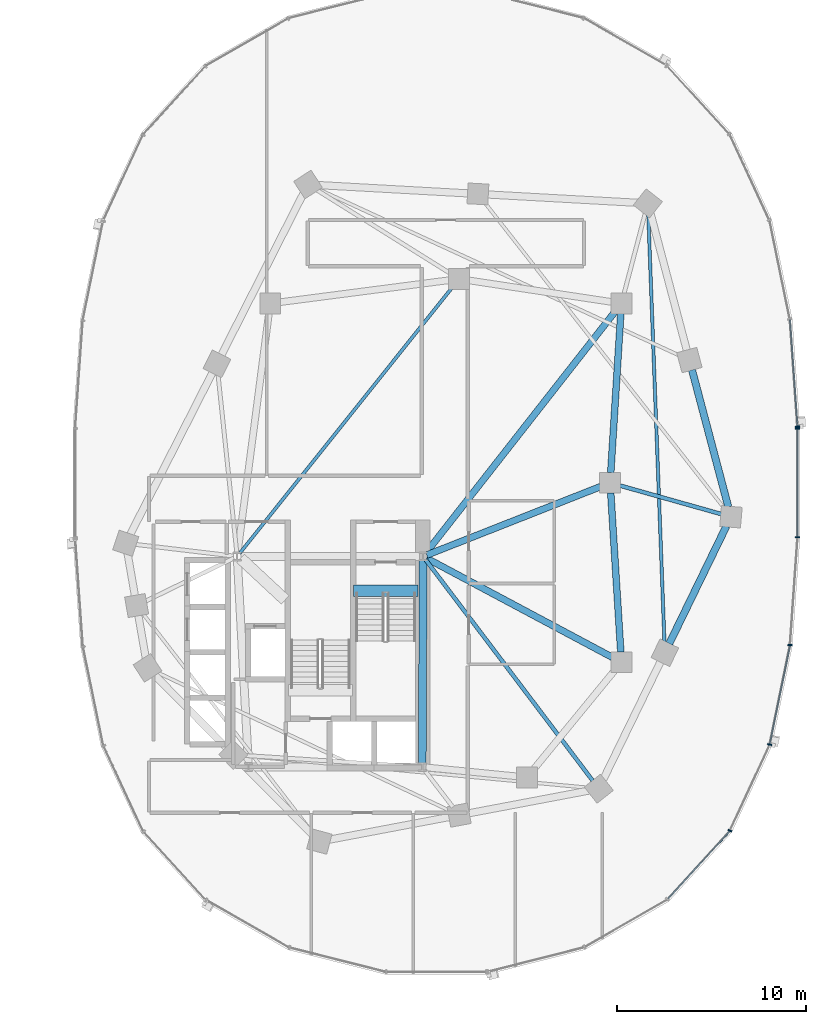
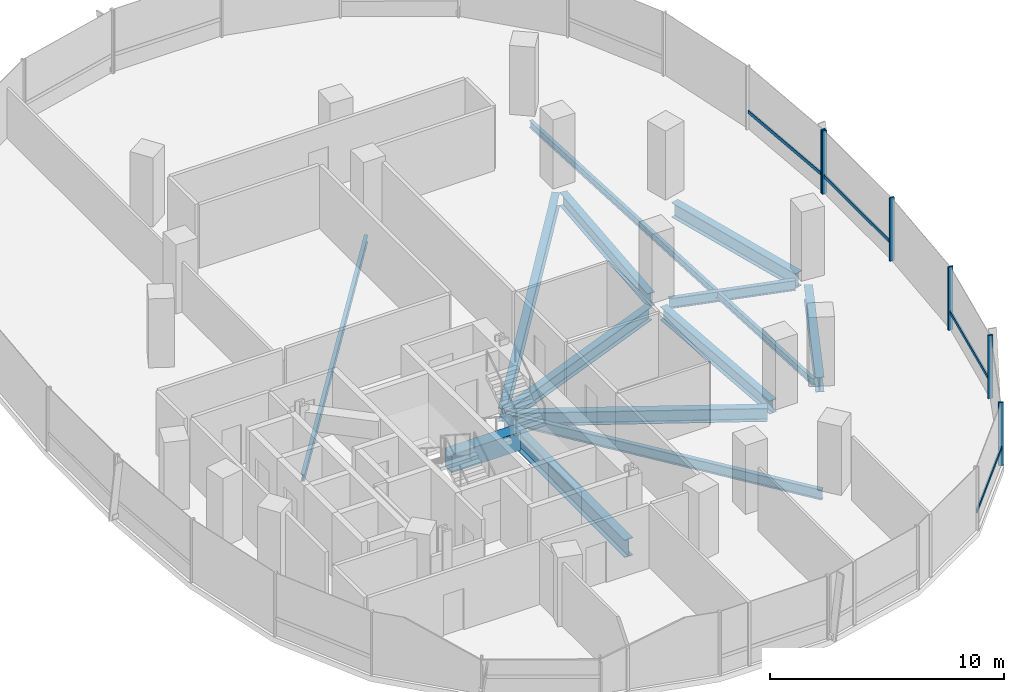
# One storey, part 6 of 20: 13 beams, 10 members, 2 elements without a shape of their own.
"""IFC4 building model written with IfcOpenShell, lengths in metres."""

from ifc_helpers import new_model, si_unit, direction, frame, origin, origin_2d, place, context, subcontext, project, spatial, rectangle, i_section, extrude, material, material_profile, profile_set, type_object, element, aggregate, save


model = new_model("IFC4")

# Units and contexts
model_context = context("Model", 3, precision=1e-05, world=origin(), true_north=direction((0.0, 1.0)))
body_context = subcontext(model_context, "Body", "Model", "MODEL_VIEW")
ifc_project = project(units=[si_unit("LENGTHUNIT", "METRE"), si_unit("AREAUNIT", "SQUARE_METRE"), si_unit("VOLUMEUNIT", "CUBIC_METRE"), si_unit("PLANEANGLEUNIT", "RADIAN"), si_unit("MASSUNIT", "GRAM", prefix="KILO"), si_unit("THERMODYNAMICTEMPERATUREUNIT", "KELVIN"), si_unit("POWERUNIT", "WATT")], contexts=[model_context])

# Site, building, storey
site_placement = place(None, origin())
site = spatial("IfcSite", under=ifc_project, at=site_placement, CompositionType="ELEMENT")
building_placement = place(site_placement, origin())
building = spatial("IfcBuilding", under=site, at=building_placement, Name="Cundina Bronze Exchange", CompositionType="ELEMENT")
storey_placement = place(building_placement, frame((0.0, 0.0, 125.0)))
storey = spatial("IfcBuildingStorey", under=building, at=storey_placement, Name="L32", CompositionType="ELEMENT", Elevation=125.0)

# Beams
ifc_material_1 = material(Name="Concrete C60/75", Category="concrete")
ifc_material_profile_1 = material_profile(ifc_material_1, rectangle(XDim=0.60009765625, YDim=0.949951171875, at=origin_2d()), Name="RC600X950", Category="concrete")
ifc_profile_set_1 = profile_set([ifc_material_profile_1], Name="Concrete C60/75")
beam_type_1 = type_object("IfcBeamType", Name="BM-COUP-RC950", PredefinedType="LINTEL", material=ifc_profile_set_1)
beam_1_placement = place(storey_placement, frame((27.6201171875, -5.719970703125, -0.47509765625), z_axis=(1.0, 0.0, 0.0), x_axis=(0.0, 1.0, 0.0)))
element("IfcBeam", 1, at=beam_1_placement, inside=storey, type_object=beam_type_1, Name="L32 Stair E1 Landing Header Beam", PredefinedType="LINTEL", context=body_context, shape_type="SweptSolid", body=[
    extrude(rectangle(XDim=0.60009765625, YDim=0.949951171875, at=origin_2d()), origin(), (0.0, 0.0, 1.0), 3.39990234375),
])
ifc_material_2 = material(Name="Steel ASTM A992 Grade 50", Category="steel")
ifc_material_profile_2 = material_profile(ifc_material_2, i_section(OverallWidth=0.2099609375, OverallDepth=0.532958984375, WebThickness=0.01025390625, FlangeThickness=0.015625, FilletRadius=0.013916015625, at=origin_2d()), Name="W21X62", Category="steel")
ifc_profile_set_2 = profile_set([ifc_material_profile_2], Name="Steel ASTM A992 Grade 50")
beam_type_2 = type_object("IfcBeamType", Name="BM-FLR-W21B", PredefinedType="BEAM", material=ifc_profile_set_2)
beam_2_placement = place(storey_placement, frame((31.423095703125, -4.062744140625, -0.56640625), z_axis=(0.603095885041, -0.797668699052, 0.0), x_axis=(0.797668699052, 0.603095885041, 0.0)))
element("IfcBeam", 2, at=beam_2_placement, inside=storey, type_object=beam_type_2, Name="L32 Leg E Chordal Floor Beam 06", PredefinedType="BEAM", context=body_context, shape_type="SweptSolid", body=[
    extrude(i_section(OverallWidth=0.2099609375, OverallDepth=0.532958984375, WebThickness=0.01025390625, FlangeThickness=0.015625, FilletRadius=0.013916015625, at=origin_2d()), origin(), (0.0, 0.0, 1.0), 14.677978515625),
])
beam_3_placement = place(storey_placement, frame((41.718017578125, -0.145751953125, -0.56640625), z_axis=(0.962654865541, -0.270731619598, 0.0), x_axis=(0.270731619598, 0.962654865541, 0.0)))
element("IfcBeam", 3, at=beam_3_placement, inside=storey, type_object=beam_type_2, Name="L32 Leg E Chordal Floor Beam 08", PredefinedType="BEAM", context=body_context, shape_type="SweptSolid", body=[
    extrude(i_section(OverallWidth=0.2099609375, OverallDepth=0.532958984375, WebThickness=0.01025390625, FlangeThickness=0.015625, FilletRadius=0.013916015625, at=origin_2d()), origin(), (0.0, 0.0, 1.0), 5.572021484375),
])
ifc_material_profile_3 = material_profile(ifc_material_2, i_section(OverallWidth=0.172119140625, OverallDepth=0.35791015625, WebThickness=0.0078125, FlangeThickness=0.01318359375, FilletRadius=0.010009765625, at=origin_2d()), Name="W14X38", Category="steel")
ifc_profile_set_3 = profile_set([ifc_material_profile_3], Name="Steel ASTM A992 Grade 50")
beam_type_3 = type_object("IfcBeamType", Name="BM-JST-W14", PredefinedType="JOIST", material=ifc_profile_set_3)
beam_4_placement = place(storey_placement, frame((21.577392578125, -3.740478515625, -0.47900390625), z_axis=(0.62436887964, 0.781129632095, 0.0), x_axis=(-0.781129632095, 0.62436887964, 0.0)))
element("IfcBeam", 4, at=beam_4_placement, inside=storey, type_object=beam_type_3, Name="L32 E Interior Core-to-Ring Joist 2", PredefinedType="JOIST", context=body_context, shape_type="SweptSolid", body=[
    extrude(i_section(OverallWidth=0.172119140625, OverallDepth=0.35791015625, WebThickness=0.0078125, FlangeThickness=0.01318359375, FilletRadius=0.010009765625, at=origin_2d()), origin(), (0.0, 0.0, 1.0), 18.076904296875),
])
beam_5_placement = place(storey_placement, frame((44.07958984375, -8.46240234375, -0.47900390625), z_axis=(-0.03778951385, 0.999285721224, 0.0), x_axis=(-0.999285721224, -0.03778951385, 0.0)))
element("IfcBeam", 5, at=beam_5_placement, inside=storey, type_object=beam_type_3, Name="L32 Leg E Lobe Floor Joist 07-10", PredefinedType="JOIST", context=body_context, shape_type="SweptSolid", body=[
    extrude(i_section(OverallWidth=0.172119140625, OverallDepth=0.35791015625, WebThickness=0.0078125, FlangeThickness=0.01318359375, FilletRadius=0.010009765625, at=origin_2d()), origin(), (0.0, 0.0, 1.0), 22.7412109375),
])
ifc_material_profile_4 = material_profile(ifc_material_2, i_section(OverallWidth=0.35498046875, OverallDepth=0.695068359375, WebThickness=0.015380859375, FlangeThickness=0.02490234375, FilletRadius=0.01806640625, at=origin_2d()), Name="W27X146", Category="steel")
ifc_profile_set_4 = profile_set([ifc_material_profile_4], Name="Steel ASTM A992 Grade 50")
beam_type_4 = type_object("IfcBeamType", Name="BM-RING-W27", PredefinedType="USERDEFINED", material=ifc_profile_set_4)
for number, where, z_axis, x_axis, name in (
    (6, (41.76611328125, -8.963134765625, -0.6474609375), (-0.06303715519, 0.998011180832, 0.0), (-0.998011180832, -0.06303715519, 0.0), "L32 E Inner Structural Ring Girder 03"),
    (7, (41.23388671875, 0.536865234375, -0.6474609375), (0.06303715519, 0.998011180832, 0.0), (-0.998011180832, 0.06303715519, 0.0), "L32 E Inner Structural Ring Girder 04"),
):
    element("IfcBeam", number, at=place(storey_placement, frame(where, z_axis=z_axis, x_axis=x_axis)), inside=storey, type_object=beam_type_4, Name=name, ObjectType="GIRDER", PredefinedType="USERDEFINED", context=body_context, shape_type="SweptSolid", body=[
        extrude(i_section(OverallWidth=0.35498046875, OverallDepth=0.695068359375, WebThickness=0.015380859375, FlangeThickness=0.02490234375, FilletRadius=0.01806640625, at=origin_2d()), origin(), (0.0, 0.0, 1.0), 8.443115234375),
    ])
beam_6_placement = place(storey_placement, frame((31.48974609375, -3.8251953125, -0.6474609375), z_axis=(0.930413235418, 0.366512225388, 0.0), x_axis=(-0.366512225388, 0.930413235418, 0.0)))
element("IfcBeam", 8, at=beam_6_placement, inside=storey, type_object=beam_type_4, Name="L32 E Core-to-Waist Tie Beam 1", ObjectType="GIRDER", PredefinedType="USERDEFINED", context=body_context, shape_type="SweptSolid", body=[
    extrude(i_section(OverallWidth=0.35498046875, OverallDepth=0.695068359375, WebThickness=0.015380859375, FlangeThickness=0.02490234375, FilletRadius=0.01806640625, at=origin_2d()), origin(), (0.0, 0.0, 1.0), 9.8984375),
])
beam_7_placement = place(storey_placement, frame((31.47998046875, -3.99609375, -0.6474609375), z_axis=(0.882354758239, -0.470584828286, 0.0), x_axis=(0.470584828286, 0.882354758239, 0.0)))
element("IfcBeam", 9, at=beam_7_placement, inside=storey, type_object=beam_type_4, Name="L32 E Core-to-Waist Tie Beam 2", ObjectType="GIRDER", PredefinedType="USERDEFINED", context=body_context, shape_type="SweptSolid", body=[
    extrude(i_section(OverallWidth=0.35498046875, OverallDepth=0.695068359375, WebThickness=0.015380859375, FlangeThickness=0.02490234375, FilletRadius=0.01806640625, at=origin_2d()), origin(), (0.0, 0.0, 1.0), 11.157958984375),
])
beam_8_placement = place(storey_placement, frame((31.42578125, -3.739501953125, -0.6474609375), z_axis=(0.616789275748, 0.787128318206, 0.0), x_axis=(-0.787128318206, 0.616789275748, 0.0)))
element("IfcBeam", 10, at=beam_8_placement, inside=storey, type_object=beam_type_4, Name="L32 E Core-to-Waist Tie Beam 3", ObjectType="GIRDER", PredefinedType="USERDEFINED", context=body_context, shape_type="SweptSolid", body=[
    extrude(i_section(OverallWidth=0.35498046875, OverallDepth=0.695068359375, WebThickness=0.015380859375, FlangeThickness=0.02490234375, FilletRadius=0.01806640625, at=origin_2d()), origin(), (0.0, 0.0, 1.0), 16.281982421875),
])
ifc_material_profile_5 = material_profile(ifc_material_2, i_section(OverallWidth=0.381103515625, OverallDepth=0.77294921875, WebThickness=0.0166015625, FlangeThickness=0.027099609375, FilletRadius=0.01904296875, at=origin_2d()), Name="W30X173", Category="steel")
ifc_profile_set_5 = profile_set([ifc_material_profile_5], Name="Steel ASTM A992 Grade 50")
beam_type_5 = type_object("IfcBeamType", Name="BM-RING-W30", PredefinedType="USERDEFINED", material=ifc_profile_set_5)
beam_9_placement = place(storey_placement, frame((44.335205078125, -8.51611328125, -0.6865234375), z_axis=(0.437193894283, 0.899367276924, 0.0), x_axis=(-0.899367276924, 0.437193894283, 0.0)))
element("IfcBeam", 11, at=beam_9_placement, inside=storey, type_object=beam_type_5, Name="L32 E Perimeter Ring Girder 07", ObjectType="GIRDER", PredefinedType="USERDEFINED", context=body_context, shape_type="SweptSolid", body=[
    extrude(i_section(OverallWidth=0.381103515625, OverallDepth=0.77294921875, WebThickness=0.0166015625, FlangeThickness=0.027099609375, FilletRadius=0.01904296875, at=origin_2d()), origin(), (0.0, 0.0, 1.0), 6.929443359375),
])
beam_10_placement = place(storey_placement, frame((47.462158203125, -1.280029296875, -0.6865234375), z_axis=(-0.256209719931, 0.966621218168, 0.0), x_axis=(-0.966621218168, -0.256209719931, 0.0)))
element("IfcBeam", 12, at=beam_10_placement, inside=storey, type_object=beam_type_5, Name="L32 E Perimeter Ring Girder 08", ObjectType="GIRDER", PredefinedType="USERDEFINED", context=body_context, shape_type="SweptSolid", body=[
    extrude(i_section(OverallWidth=0.381103515625, OverallDepth=0.77294921875, WebThickness=0.0166015625, FlangeThickness=0.027099609375, FilletRadius=0.01904296875, at=origin_2d()), origin(), (0.0, 0.0, 1.0), 7.5107421875),
])
ifc_material_profile_6 = material_profile(ifc_material_2, i_section(OverallWidth=0.41796875, OverallDepth=0.927001953125, WebThickness=0.019287109375, FlangeThickness=0.031982421875, FilletRadius=0.02392578125, at=origin_2d()), Name="W36X231", Category="steel")
ifc_profile_set_6 = profile_set([ifc_material_profile_6], Name="Steel ASTM A992 Grade 50")
beam_type_6 = type_object("IfcBeamType", Name="BM-WRN-W36B", PredefinedType="USERDEFINED", material=ifc_profile_set_6)
beam_11_placement = place(storey_placement, frame((31.2509765625, -14.845947265625, -0.763427734375), z_axis=(0.004477329608, 0.99998997671, 0.0), x_axis=(-0.99998997671, 0.004477329608, 0.0)))
element("IfcBeam", 13, at=beam_11_placement, inside=storey, type_object=beam_type_6, Name="L32 E Core Perimeter Tie Girder 4", ObjectType="GIRDER", PredefinedType="USERDEFINED", context=body_context, shape_type="SweptSolid", body=[
    extrude(i_section(OverallWidth=0.41796875, OverallDepth=0.927001953125, WebThickness=0.019287109375, FlangeThickness=0.031982421875, FilletRadius=0.02392578125, at=origin_2d()), origin(), (0.0, 0.0, 1.0), 10.741943359375),
])

# Curtain wall, member
ifc_material_3 = material(Name="Anodised Bronze Aluminium 6063-T6", Category="aluminium")
curtain_wall_type = type_object("IfcCurtainWallType", Name="CWS-TRD-MID", PredefinedType="NOTDEFINED", material=ifc_material_3)
curtain_wall_1_placement = place(storey_placement, origin())
curtain_wall_1 = element("IfcCurtainWall", 14, at=curtain_wall_1_placement, inside=storey, type_object=curtain_wall_type, Name="L32 CW-03 Curtain Wall Run CWR-L32-E1", PredefinedType="NOTDEFINED")
ifc_material_profile_7 = material_profile(ifc_material_3, rectangle(XDim=0.074951171875, YDim=0.219970703125, at=origin_2d()), Name="AL75X220", Category="aluminium")
ifc_profile_set_7 = profile_set([ifc_material_profile_7], Name="Anodised Bronze Aluminium 6063-T6")
member_type_1 = type_object("IfcMemberType", Name="CWM-MUL-220", PredefinedType="MULLION", material=ifc_profile_set_7)
member_1_placement = place(storey_placement, frame((51.12451171875, 2.976318359375, 0.0), z_axis=(0.0, 0.0, 1.0), x_axis=(-0.070278787473, 0.997527389113, 0.0)))
member_1 = element("IfcMember", 15, at=member_1_placement, type_object=member_type_1, Name="CW-03 Mullion 1", PredefinedType="MULLION", context=body_context, shape_type="SweptSolid", body=[
    extrude(rectangle(XDim=0.074951171875, YDim=0.219970703125, at=origin_2d()), origin(), (0.0, 0.0, 1.0), 3.300048828125),
])

# Curtain wall, members
curtain_wall_2_placement = place(storey_placement, origin())
curtain_wall_2 = element("IfcCurtainWall", 16, at=curtain_wall_2_placement, inside=storey, type_object=curtain_wall_type, Name="L32 CW-03 Curtain Wall Run CWR-L32-E4", PredefinedType="NOTDEFINED")
member_2_placement = place(storey_placement, frame((47.544189453125, -18.423583984375, 0.0), z_axis=(0.0, 0.0, 1.0), x_axis=(0.42087749791, 0.907117485088, 0.0)))
member_2 = element("IfcMember", 17, at=member_2_placement, type_object=member_type_1, Name="CW-03 Mullion 4", PredefinedType="MULLION", context=body_context, shape_type="SweptSolid", body=[
    extrude(rectangle(XDim=0.074951171875, YDim=0.219970703125, at=origin_2d()), origin(), (0.0, 0.0, 1.0), 3.300048828125),
])
member_3_placement = place(storey_placement, frame((49.651123046875, -13.861328125, 0.0), z_axis=(0.0, 0.0, 1.0), x_axis=(0.201419845156, 0.979505000486, 0.0)))
member_3 = element("IfcMember", 18, at=member_3_placement, type_object=member_type_1, Name="CW-03 Mullion 5", PredefinedType="MULLION", context=body_context, shape_type="SweptSolid", body=[
    extrude(rectangle(XDim=0.074951171875, YDim=0.219970703125, at=origin_2d()), origin(), (0.0, 0.0, 1.0), 3.300048828125),
])
member_4_placement = place(storey_placement, frame((50.72900390625, -8.591552734375, 0.0), z_axis=(0.0, 0.0, 1.0), x_axis=(0.070278787473, 0.997527389113, 0.0)))
member_4 = element("IfcMember", 19, at=member_4_placement, type_object=member_type_1, Name="CW-03 Mullion 6", PredefinedType="MULLION", context=body_context, shape_type="SweptSolid", body=[
    extrude(rectangle(XDim=0.074951171875, YDim=0.219970703125, at=origin_2d()), origin(), (0.0, 0.0, 1.0), 3.300048828125),
])
member_5_placement = place(storey_placement, frame((51.1279296875, -2.880615234375, 0.0), z_axis=(0.0, 0.0, 1.0), x_axis=(0.0, 1.0, 0.0)))
member_5 = element("IfcMember", 20, at=member_5_placement, type_object=member_type_1, Name="CW-03 Mullion 7", PredefinedType="MULLION", context=body_context, shape_type="SweptSolid", body=[
    extrude(rectangle(XDim=0.074951171875, YDim=0.219970703125, at=origin_2d()), origin(), (0.0, 0.0, 1.0), 3.300048828125),
])
member_6_placement = place(storey_placement, frame((51.1279296875, 2.880615234375, 0.0), z_axis=(0.0, 0.0, 1.0), x_axis=(0.0, 1.0, 0.0)))
member_6 = element("IfcMember", 21, at=member_6_placement, type_object=member_type_1, Name="CW-03 End Mullion", PredefinedType="MULLION", context=body_context, shape_type="SweptSolid", body=[
    extrude(rectangle(XDim=0.074951171875, YDim=0.219970703125, at=origin_2d()), origin(), (0.0, 0.0, 1.0), 3.300048828125),
])

# Member
ifc_material_profile_8 = material_profile(ifc_material_3, rectangle(XDim=0.070068359375, YDim=0.179931640625, at=origin_2d()), Name="AL70X180", Category="aluminium")
ifc_profile_set_8 = profile_set([ifc_material_profile_8], Name="Anodised Bronze Aluminium 6063-T6")
member_type_2 = type_object("IfcMemberType", Name="CWM-TRN-180", PredefinedType="USERDEFINED", material=ifc_profile_set_8)
member_7_placement = place(storey_placement, frame((51.12158203125, 3.017333984375, 0.919921875), z_axis=(-0.070260714471, 0.997528662246, 0.0), x_axis=(-0.997528662246, -0.070260714471, 0.0)))
member_7 = element("IfcMember", 22, at=member_7_placement, type_object=member_type_2, Name="CW-03 Spandrel Transom 1", ObjectType="TRANSOM", PredefinedType="USERDEFINED", context=body_context, shape_type="SweptSolid", body=[
    extrude(rectangle(XDim=0.070068359375, YDim=0.179931640625, at=origin_2d()), origin(), (0.0, 0.0, 1.0), 5.629150390625),
])

aggregate(curtain_wall_1, [member_1, member_7])

member_8_placement = place(storey_placement, frame((44.26708984375, -22.027099609375, 0.919921875), z_axis=(0.674302794847, 0.738454968743, 0.0), x_axis=(-0.738454968743, 0.674302794847, 0.0)))
member_8 = element("IfcMember", 23, at=member_8_placement, type_object=member_type_2, Name="CW-03 Spandrel Transom 3", ObjectType="TRANSOM", PredefinedType="USERDEFINED", context=body_context, shape_type="SweptSolid", body=[
    extrude(rectangle(XDim=0.070068359375, YDim=0.179931640625, at=origin_2d()), origin(), (0.0, 0.0, 1.0), 4.848388671875),
])

member_9_placement = place(storey_placement, frame((49.659423828125, -13.821044921875, 0.919921875), z_axis=(0.201427712708, 0.979503382615, 0.0), x_axis=(-0.979503382615, 0.201427712708, 0.0)))
member_9 = element("IfcMember", 24, at=member_9_placement, type_object=member_type_2, Name="CW-03 Spandrel Transom 5", ObjectType="TRANSOM", PredefinedType="USERDEFINED", context=body_context, shape_type="SweptSolid", body=[
    extrude(rectangle(XDim=0.070068359375, YDim=0.179931640625, at=origin_2d()), origin(), (0.0, 0.0, 1.0), 5.291748046875),
])

member_10_placement = place(storey_placement, frame((51.1279296875, -2.839111328125, 0.919921875), z_axis=(0.0, 1.0, 0.0), x_axis=(-1.0, 0.0, 0.0)))
member_10 = element("IfcMember", 25, at=member_10_placement, type_object=member_type_2, Name="CW-03 Spandrel Transom 7", ObjectType="TRANSOM", PredefinedType="USERDEFINED", context=body_context, shape_type="SweptSolid", body=[
    extrude(rectangle(XDim=0.070068359375, YDim=0.179931640625, at=origin_2d()), origin(), (0.0, 0.0, 1.0), 5.67822265625),
])

aggregate(curtain_wall_2, [member_8, member_2, member_3, member_9, member_4, member_5, member_6, member_10])

save(model, "model.ifc")
